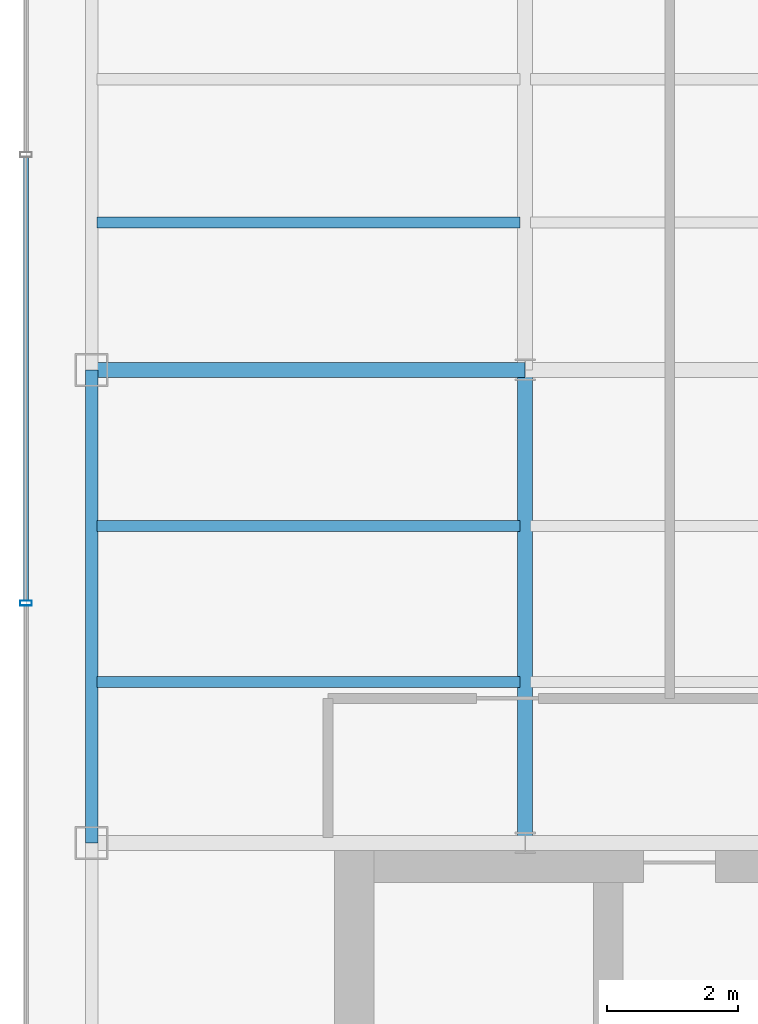
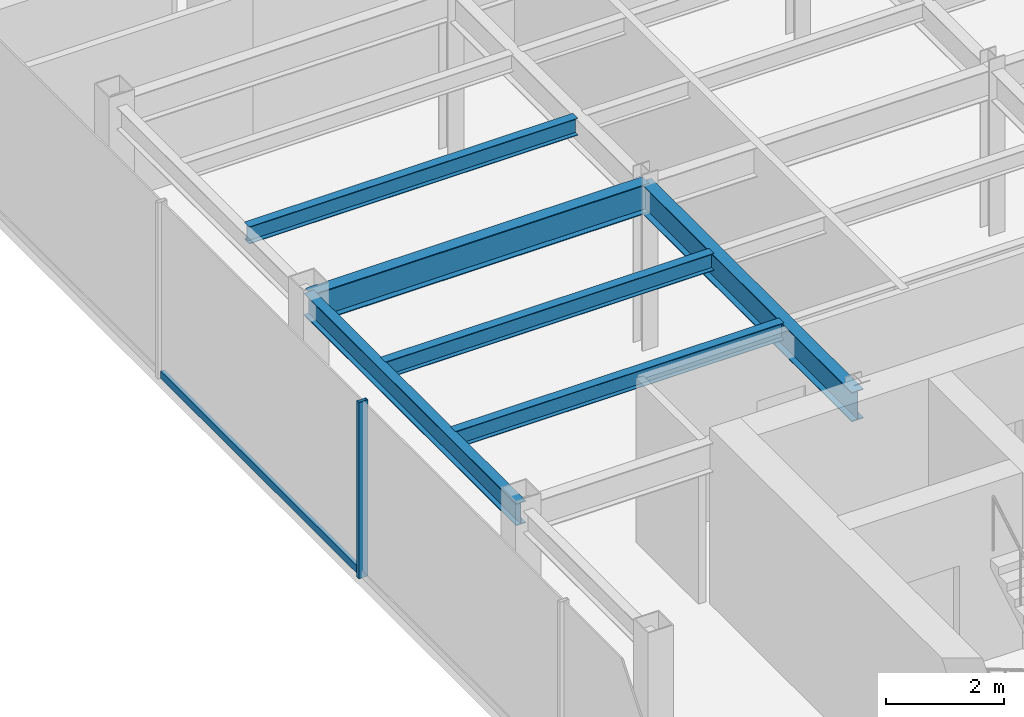
# One storey, part 5 of 22: 6 beams, 2 members, 1 element without a shape of its own.
"""IFC4 building model written with IfcOpenShell, lengths in metres."""

from ifc_helpers import new_model, si_unit, derived_unit, direction, frame, origin, origin_2d, place, context, subcontext, project, spatial, hollow_rectangle, i_section, extrude, source, transform, mapped, material, material_profile, profile_set, type_object, element, aggregate, save


model = new_model("IFC4")

# Units and contexts
model_context = context("Model", 3, precision=1e-05, world=origin(), true_north=direction((0.0, 1.0)))
body_context = subcontext(model_context, "Body", "Model", "MODEL_VIEW")
ifc_project = project(units=[si_unit("LENGTHUNIT", "METRE"), si_unit("AREAUNIT", "SQUARE_METRE"), si_unit("VOLUMEUNIT", "CUBIC_METRE"), si_unit("PLANEANGLEUNIT", "RADIAN"), si_unit("MASSUNIT", "GRAM", prefix="KILO"), derived_unit("THERMALTRANSMITTANCEUNIT", [(si_unit("POWERUNIT", "WATT"), 1), (si_unit("LENGTHUNIT", "METRE"), -2), (si_unit("THERMODYNAMICTEMPERATUREUNIT", "KELVIN"), -1)])], contexts=[model_context])

# Site, building, storey
site_placement = place(None, origin())
site = spatial("IfcSite", under=ifc_project, at=site_placement, CompositionType="ELEMENT")
building_placement = place(site_placement, origin())
building = spatial("IfcBuilding", under=site, at=building_placement, Name="Skarnbrae Concourse Arena and Tower", CompositionType="ELEMENT")
storey_placement = place(building_placement, frame((0.0, 0.0, 203.199951171875)))
storey = spatial("IfcBuildingStorey", under=building, at=storey_placement, Name="L52", CompositionType="ELEMENT", Elevation=203.199951171875)

# Beams
ifc_material_1 = material(Name="Steel CSA G40.21 350W", Category="steel")
ifc_material_profile_1 = material_profile(ifc_material_1, i_section(OverallWidth=0.22802734375, OverallDepth=0.60791015625, WebThickness=0.01123046875, FlangeThickness=0.017333984375, at=origin_2d()), Name="W610X113")
ifc_profile_set_1 = profile_set([ifc_material_profile_1], Name="Steel CSA G40.21 350W")
beam_type_1 = type_object("IfcBeamType", Name="BM-GIRD-W610X113", PredefinedType="BEAM", material=ifc_profile_set_1)
shared_shape_1 = source(origin(), body_context, "Body", "SweptSolid", [
    extrude(i_section(OverallWidth=0.22802734375, OverallDepth=0.60791015625, WebThickness=0.01123046875, FlangeThickness=0.017333984375, at=origin_2d()), origin(), (0.0, 0.0, 1.0), 6.60009765625),
])
beam_1_placement = place(storey_placement, frame((1.0, 21.199951171875, 3.095947265625), z_axis=(1.0, 0.0, 0.0), x_axis=(0.0, 1.0, 0.0)))
element("IfcBeam", 1, at=beam_1_placement, inside=storey, type_object=beam_type_1, Name="L52 Primary E-W girder Y21.2-1", PredefinedType="BEAM", context=body_context, shape_type="MappedRepresentation", body=[
    mapped(shared_shape_1, transform((0.0, 0.0, 0.0))),
])
ifc_material_profile_2 = material_profile(ifc_material_1, i_section(OverallWidth=0.19091796875, OverallDepth=0.4599609375, WebThickness=0.010009765625, FlangeThickness=0.01611328125, at=origin_2d()), Name="W460X82")
ifc_profile_set_2 = profile_set([ifc_material_profile_2], Name="Steel CSA G40.21 350W")
beam_type_2 = type_object("IfcBeamType", Name="BM-SPAN-W460X82", PredefinedType="SPANDREL", material=ifc_profile_set_2)
shared_shape_2 = source(origin(), body_context, "Body", "SweptSolid", [
    extrude(i_section(OverallWidth=0.19091796875, OverallDepth=0.4599609375, WebThickness=0.010009765625, FlangeThickness=0.01611328125, at=origin_2d()), origin(), (0.0, 0.0, 1.0), 7.199951171875),
])
beam_2_placement = place(storey_placement, frame((1.0, 14.0, 3.170166015625), z_axis=(0.0, 1.0, 0.0), x_axis=(-1.0, 0.0, 0.0)))
element("IfcBeam", 2, at=beam_2_placement, inside=storey, type_object=beam_type_2, Name="L52 Perimeter spandrel X1.0-2", PredefinedType="SPANDREL", context=body_context, shape_type="MappedRepresentation", body=[
    mapped(shared_shape_2, transform((0.0, 0.0, 0.0))),
])
shared_shape_3 = source(origin(), body_context, "Body", "SweptSolid", [
    extrude(i_section(OverallWidth=0.22802734375, OverallDepth=0.60791015625, WebThickness=0.01123046875, FlangeThickness=0.017333984375, at=origin_2d()), origin(), (0.0, 0.0, 1.0), 7.199951171875),
])
beam_3_placement = place(storey_placement, frame((7.60009765625, 14.0, 3.095947265625), z_axis=(0.0, 1.0, 0.0), x_axis=(-1.0, 0.0, 0.0)))
element("IfcBeam", 3, at=beam_3_placement, inside=storey, type_object=beam_type_1, Name="L52 Primary N-S girder X7.6-1", PredefinedType="BEAM", context=body_context, shape_type="MappedRepresentation", body=[
    mapped(shared_shape_3, transform((0.0, 0.0, 0.0))),
])
ifc_material_profile_3 = material_profile(ifc_material_1, i_section(OverallWidth=0.1708984375, OverallDepth=0.35498046875, WebThickness=0.007080078125, FlangeThickness=0.01171875, at=origin_2d()), Name="W360X51")
ifc_profile_set_3 = profile_set([ifc_material_profile_3], Name="Steel CSA G40.21 350W")
beam_type_3 = type_object("IfcBeamType", Name="BM-JOIST-W360X51", PredefinedType="JOIST", material=ifc_profile_set_3)
shared_shape_4 = source(origin(), body_context, "Body", "SweptSolid", [
    extrude(i_section(OverallWidth=0.1708984375, OverallDepth=0.35498046875, WebThickness=0.007080078125, FlangeThickness=0.01171875, at=origin_2d()), origin(), (0.0, 0.0, 1.0), 6.43994140625),
])
for number, where, z_axis, x_axis, name in (
    (4, (1.080078125, 16.447998046875, 3.22265625), (1.0, 0.0, 0.0), (0.0, 1.0, 0.0), "L52 Secondary floor joist 1.1.1"),
    (5, (1.080078125, 18.823974609375, 3.22265625), (1.0, 0.0, 0.0), (0.0, 1.0, 0.0), "L52 Secondary floor joist 1.2.1"),
    (6, (1.080078125, 23.444091796875, 3.22265625), (1.0, 0.0, 0.0), (0.0, 1.0, 0.0), "L52 Secondary floor joist 2.1.1"),
):
    element("IfcBeam", number, at=place(storey_placement, frame(where, z_axis=z_axis, x_axis=x_axis)), inside=storey, type_object=beam_type_3, Name=name, PredefinedType="JOIST", context=body_context, shape_type="MappedRepresentation", body=[
        mapped(shared_shape_4, transform((0.0, 0.0, 0.0))),
    ])

# Curtain wall, members
ifc_material_2 = material(Name="Bronze anodised aluminium 6063-T6", Category="aluminium")
curtain_wall_type = type_object("IfcCurtainWallType", Name="CW-SYS-05-HIGHZONE", PredefinedType="USERDEFINED", material=ifc_material_2)
curtain_wall_placement = place(storey_placement, origin())
curtain_wall = element("IfcCurtainWall", 7, at=curtain_wall_placement, inside=storey, type_object=curtain_wall_type, Name="L52 Unitised curtain wall CW-L52-E18", ObjectType="UNITISED CURTAIN WALL", PredefinedType="USERDEFINED")
ifc_material_profile_4 = material_profile(ifc_material_2, hollow_rectangle(XDim=0.074951171875, YDim=0.14990234375, WallThickness=0.00390625, at=origin_2d()), Name="ALU-TRAN-75X150")
ifc_profile_set_4 = profile_set([ifc_material_profile_4], Name="Bronze anodised aluminium 6063-T6")
member_type_1 = type_object("IfcMemberType", Name="CWT-CW-05", PredefinedType="USERDEFINED", material=ifc_profile_set_4)
shared_shape_5 = source(origin(), body_context, "Body", "SweptSolid", [
    extrude(hollow_rectangle(XDim=0.074951171875, YDim=0.14990234375, WallThickness=0.00390625, at=origin_2d()), origin(), (0.0, 0.0, 1.0), 6.75),
])
member_1_placement = place(storey_placement, frame((0.0, 24.4375, 0.074951171875), z_axis=(0.0, -1.0, 0.0), x_axis=(1.0, 0.0, 0.0)))
member_1 = element("IfcMember", 8, at=member_1_placement, type_object=member_type_1, Name="CW-L52-E18 Transom 2", ObjectType="TRANSOM", PredefinedType="USERDEFINED", context=body_context, shape_type="MappedRepresentation", body=[
    mapped(shared_shape_5, transform((0.0, 0.0, 0.0))),
])
ifc_material_profile_5 = material_profile(ifc_material_2, hollow_rectangle(XDim=0.074951171875, YDim=0.179931640625, WallThickness=0.00390625, at=origin_2d()), Name="ALU-MULL-75X180")
ifc_profile_set_5 = profile_set([ifc_material_profile_5], Name="Bronze anodised aluminium 6063-T6")
member_type_2 = type_object("IfcMemberType", Name="CWM-CW-05", PredefinedType="MULLION", material=ifc_profile_set_5)
shared_shape_6 = source(origin(), body_context, "Body", "SweptSolid", [
    extrude(hollow_rectangle(XDim=0.074951171875, YDim=0.179931640625, WallThickness=0.00390625, at=origin_2d()), origin(), (0.0, 0.0, 1.0), 3.650146484375),
])
member_2_placement = place(storey_placement, frame((0.0, 17.64990234375, 0.0), z_axis=(0.0, 0.0, 1.0), x_axis=(0.0, -1.0, 0.0)))
member_2 = element("IfcMember", 9, at=member_2_placement, type_object=member_type_2, Name="CW-L52-E18 Mullion 3", PredefinedType="MULLION", context=body_context, shape_type="MappedRepresentation", body=[
    mapped(shared_shape_6, transform((0.0, 0.0, 0.0))),
])
aggregate(curtain_wall, [member_2, member_1])

save(model, "model.ifc")
